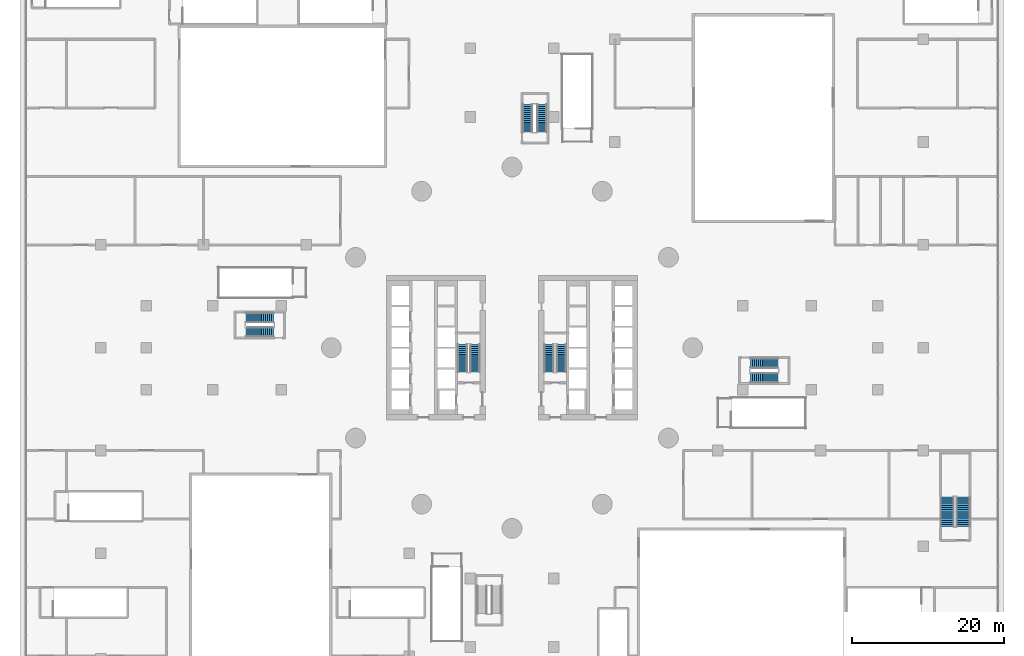
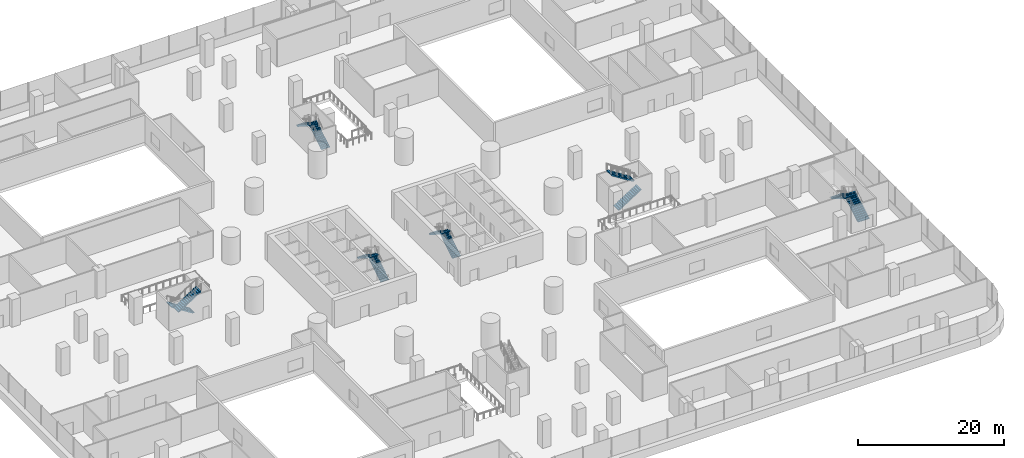
# One storey, part 30 of 38: 12 stair flights, 6 elements without a shape of their own.
"""IFC4 building model written with IfcOpenShell, lengths in metres."""

from ifc_helpers import new_model, si_unit, direction, frame, origin, place, context, subcontext, project, spatial, polyline, outline, extrude, material, type_object, element, aggregate, save


model = new_model("IFC4")

# Units and contexts
model_context = context("Model", 3, precision=1e-05, world=origin(), true_north=direction((0.0, 1.0)))
body_context = subcontext(model_context, "Body", "Model", "MODEL_VIEW")
ifc_project = project(units=[si_unit("LENGTHUNIT", "METRE"), si_unit("AREAUNIT", "SQUARE_METRE"), si_unit("VOLUMEUNIT", "CUBIC_METRE"), si_unit("PLANEANGLEUNIT", "RADIAN"), si_unit("MASSUNIT", "GRAM", prefix="KILO")], contexts=[model_context])

# Site, building, storey
site_placement = place(None, origin())
site = spatial("IfcSite", under=ifc_project, at=site_placement, CompositionType="ELEMENT")
building_placement = place(site_placement, origin())
building = spatial("IfcBuilding", under=site, at=building_placement, Name="Tamarind Cross Interchange Tower", CompositionType="ELEMENT")
storey_placement = place(building_placement, frame((0.0, 0.0, 20.0)))
storey = spatial("IfcBuildingStorey", under=building, at=storey_placement, Name="L03", CompositionType="ELEMENT", Elevation=20.0)

# Stair, stair flights
ifc_material_1 = material(Name="Exit stair")
stair_type_1 = type_object("IfcStairType", Name="Exit stair", PredefinedType="HALF_TURN_STAIR", material=ifc_material_1)
stair_1_placement = place(storey_placement, origin())
stair_1 = element("IfcStair", 1, at=stair_1_placement, inside=storey, type_object=stair_type_1, Name="L03 exit stair ST1", PredefinedType="HALF_TURN_STAIR")
ifc_material_2 = material(Name="Exit stair flight")
stair_flight_type_1 = type_object("IfcStairFlightType", Name="Exit stair flight", PredefinedType="STRAIGHT", material=ifc_material_2)
stair_flight_1_placement = place(storey_placement, frame((-4.85009765625, -3.199951171875, 0.0), z_axis=(0.0, 0.0, 1.0), x_axis=(0.0, 1.0, 0.0)))
stair_flight_1 = element("IfcStairFlight", 2, at=stair_flight_1_placement, type_object=stair_flight_type_1, Name="ST1 flight 1", NumberOfRisers=15, NumberOfTreads=14, PredefinedType="STRAIGHT", RiserHeight=0.166666667, TreadLength=0.26, context=body_context, shape_type="SweptSolid", body=[
    extrude(outline(polyline([(0.0, 0.0), (0.0, 0.166748046875), (0.260009765625, 0.166748046875), (0.260009765625, 0.333251953125), (0.52001953125, 0.333251953125), (0.52001953125, 0.5), (0.780029296875, 0.5), (0.780029296875, 0.666748046875), (1.0400390625, 0.666748046875), (1.0400390625, 0.833251953125), (1.300048828125, 0.833251953125), (1.300048828125, 1.0), (1.56005859375, 1.0), (1.56005859375, 1.166748046875), (1.820068359375, 1.166748046875), (1.820068359375, 1.333251953125), (2.080078125, 1.333251953125), (2.080078125, 1.5), (2.340087890625, 1.5), (2.340087890625, 1.666748046875), (2.60009765625, 1.666748046875), (2.60009765625, 1.833251953125), (2.860107421875, 1.833251953125), (2.860107421875, 2.0), (3.1201171875, 2.0), (3.1201171875, 2.166748046875), (3.3798828125, 2.166748046875), (3.3798828125, 2.333251953125), (3.639892578125, 2.333251953125), (3.639892578125, 2.5), (3.639892578125, 2.1552734375), (0.27783203125, 0.0), (0.0, 0.0)])), frame((0.0, 0.64990234375, 0.0), z_axis=(0.0, -1.0, 0.0), x_axis=(1.0, 0.0, 0.0)), (0.0, 0.0, 1.0), 1.300048828125),
])
stair_flight_2_placement = place(storey_placement, frame((-6.5, 0.43994140625, 2.5), z_axis=(0.0, 0.0, 1.0), x_axis=(0.0, -1.0, 0.0)))
stair_flight_2 = element("IfcStairFlight", 3, at=stair_flight_2_placement, type_object=stair_flight_type_1, Name="ST1 flight 2", NumberOfRisers=15, NumberOfTreads=14, PredefinedType="STRAIGHT", RiserHeight=0.166666667, TreadLength=0.26, context=body_context, shape_type="SweptSolid", body=[
    extrude(outline(polyline([(0.0, 0.0), (0.0, 0.166748046875), (0.260009765625, 0.166748046875), (0.260009765625, 0.333251953125), (0.52001953125, 0.333251953125), (0.52001953125, 0.5), (0.780029296875, 0.5), (0.780029296875, 0.666748046875), (1.0400390625, 0.666748046875), (1.0400390625, 0.833251953125), (1.300048828125, 0.833251953125), (1.300048828125, 1.0), (1.56005859375, 1.0), (1.56005859375, 1.166748046875), (1.820068359375, 1.166748046875), (1.820068359375, 1.333251953125), (2.080078125, 1.333251953125), (2.080078125, 1.5), (2.340087890625, 1.5), (2.340087890625, 1.666748046875), (2.60009765625, 1.666748046875), (2.60009765625, 1.833251953125), (2.860107421875, 1.833251953125), (2.860107421875, 2.0), (3.1201171875, 2.0), (3.1201171875, 2.166748046875), (3.3798828125, 2.166748046875), (3.3798828125, 2.333251953125), (3.639892578125, 2.333251953125), (3.639892578125, 2.5), (3.639892578125, 2.1552734375), (0.27783203125, 0.0), (0.0, 0.0)])), frame((0.0, 0.64990234375, 0.0), z_axis=(0.0, -1.0, 0.0), x_axis=(1.0, 0.0, 0.0)), (0.0, 0.0, 1.0), 1.300048828125),
])
aggregate(stair_1, [stair_flight_1, stair_flight_2])

stair_2_placement = place(storey_placement, origin())
stair_2 = element("IfcStair", 4, at=stair_2_placement, inside=storey, type_object=stair_type_1, Name="L03 exit stair ST2", PredefinedType="HALF_TURN_STAIR")
stair_flight_3_placement = place(storey_placement, frame((6.5, -3.199951171875, 0.0), z_axis=(0.0, 0.0, 1.0), x_axis=(0.0, 1.0, 0.0)))
stair_flight_3 = element("IfcStairFlight", 5, at=stair_flight_3_placement, type_object=stair_flight_type_1, Name="ST2 flight 1", NumberOfRisers=15, NumberOfTreads=14, PredefinedType="STRAIGHT", RiserHeight=0.166666667, TreadLength=0.26, context=body_context, shape_type="SweptSolid", body=[
    extrude(outline(polyline([(0.0, 0.0), (0.0, 0.166748046875), (0.260009765625, 0.166748046875), (0.260009765625, 0.333251953125), (0.52001953125, 0.333251953125), (0.52001953125, 0.5), (0.780029296875, 0.5), (0.780029296875, 0.666748046875), (1.0400390625, 0.666748046875), (1.0400390625, 0.833251953125), (1.300048828125, 0.833251953125), (1.300048828125, 1.0), (1.56005859375, 1.0), (1.56005859375, 1.166748046875), (1.820068359375, 1.166748046875), (1.820068359375, 1.333251953125), (2.080078125, 1.333251953125), (2.080078125, 1.5), (2.340087890625, 1.5), (2.340087890625, 1.666748046875), (2.60009765625, 1.666748046875), (2.60009765625, 1.833251953125), (2.860107421875, 1.833251953125), (2.860107421875, 2.0), (3.1201171875, 2.0), (3.1201171875, 2.166748046875), (3.3798828125, 2.166748046875), (3.3798828125, 2.333251953125), (3.639892578125, 2.333251953125), (3.639892578125, 2.5), (3.639892578125, 2.1552734375), (0.27783203125, 0.0), (0.0, 0.0)])), frame((0.0, 0.64990234375, 0.0), z_axis=(0.0, -1.0, 0.0), x_axis=(1.0, 0.0, 0.0)), (0.0, 0.0, 1.0), 1.300048828125),
])
stair_flight_4_placement = place(storey_placement, frame((4.85009765625, 0.43994140625, 2.5), z_axis=(0.0, 0.0, 1.0), x_axis=(0.0, -1.0, 0.0)))
stair_flight_4 = element("IfcStairFlight", 6, at=stair_flight_4_placement, type_object=stair_flight_type_1, Name="ST2 flight 2", NumberOfRisers=15, NumberOfTreads=14, PredefinedType="STRAIGHT", RiserHeight=0.166666667, TreadLength=0.26, context=body_context, shape_type="SweptSolid", body=[
    extrude(outline(polyline([(0.0, 0.0), (0.0, 0.166748046875), (0.260009765625, 0.166748046875), (0.260009765625, 0.333251953125), (0.52001953125, 0.333251953125), (0.52001953125, 0.5), (0.780029296875, 0.5), (0.780029296875, 0.666748046875), (1.0400390625, 0.666748046875), (1.0400390625, 0.833251953125), (1.300048828125, 0.833251953125), (1.300048828125, 1.0), (1.56005859375, 1.0), (1.56005859375, 1.166748046875), (1.820068359375, 1.166748046875), (1.820068359375, 1.333251953125), (2.080078125, 1.333251953125), (2.080078125, 1.5), (2.340087890625, 1.5), (2.340087890625, 1.666748046875), (2.60009765625, 1.666748046875), (2.60009765625, 1.833251953125), (2.860107421875, 1.833251953125), (2.860107421875, 2.0), (3.1201171875, 2.0), (3.1201171875, 2.166748046875), (3.3798828125, 2.166748046875), (3.3798828125, 2.333251953125), (3.639892578125, 2.333251953125), (3.639892578125, 2.5), (3.639892578125, 2.1552734375), (0.27783203125, 0.0), (0.0, 0.0)])), frame((0.0, 0.64990234375, 0.0), z_axis=(0.0, -1.0, 0.0), x_axis=(1.0, 0.0, 0.0)), (0.0, 0.0, 1.0), 1.300048828125),
])
aggregate(stair_2, [stair_flight_3, stair_flight_4])

stair_3_placement = place(storey_placement, origin())
stair_3 = element("IfcStair", 7, at=stair_3_placement, inside=storey, type_object=stair_type_1, Name="L03 exit stair ST3", PredefinedType="HALF_TURN_STAIR")
stair_flight_5_placement = place(storey_placement, frame((31.300048828125, -3.949951171875, 0.0), z_axis=(0.0, 0.0, 1.0), x_axis=(1.0, 0.0, 0.0)))
stair_flight_5 = element("IfcStairFlight", 8, at=stair_flight_5_placement, type_object=stair_flight_type_1, Name="ST3 flight 1", NumberOfRisers=15, NumberOfTreads=14, PredefinedType="STRAIGHT", RiserHeight=0.166666667, TreadLength=0.26, context=body_context, shape_type="SweptSolid", body=[
    extrude(outline(polyline([(0.0, 0.0), (0.0, 0.166748046875), (0.260009765625, 0.166748046875), (0.260009765625, 0.333251953125), (0.52001953125, 0.333251953125), (0.52001953125, 0.5), (0.780029296875, 0.5), (0.780029296875, 0.666748046875), (1.0400390625, 0.666748046875), (1.0400390625, 0.833251953125), (1.300048828125, 0.833251953125), (1.300048828125, 1.0), (1.56005859375, 1.0), (1.56005859375, 1.166748046875), (1.820068359375, 1.166748046875), (1.820068359375, 1.333251953125), (2.080078125, 1.333251953125), (2.080078125, 1.5), (2.340087890625, 1.5), (2.340087890625, 1.666748046875), (2.60009765625, 1.666748046875), (2.60009765625, 1.833251953125), (2.860107421875, 1.833251953125), (2.860107421875, 2.0), (3.1201171875, 2.0), (3.1201171875, 2.166748046875), (3.3798828125, 2.166748046875), (3.3798828125, 2.333251953125), (3.639892578125, 2.333251953125), (3.639892578125, 2.5), (3.639892578125, 2.1552734375), (0.27783203125, 0.0), (0.0, 0.0)])), frame((0.0, 0.64990234375, 0.0), z_axis=(0.0, -1.0, 0.0), x_axis=(1.0, 0.0, 0.0)), (0.0, 0.0, 1.0), 1.300048828125),
])
stair_flight_6_placement = place(storey_placement, frame((34.93994140625, -2.050048828125, 2.5), z_axis=(0.0, 0.0, 1.0), x_axis=(-1.0, 0.0, 0.0)))
stair_flight_6 = element("IfcStairFlight", 9, at=stair_flight_6_placement, type_object=stair_flight_type_1, Name="ST3 flight 2", NumberOfRisers=15, NumberOfTreads=14, PredefinedType="STRAIGHT", RiserHeight=0.166666667, TreadLength=0.26, context=body_context, shape_type="SweptSolid", body=[
    extrude(outline(polyline([(0.0, 0.0), (0.0, 0.166748046875), (0.260009765625, 0.166748046875), (0.260009765625, 0.333251953125), (0.52001953125, 0.333251953125), (0.52001953125, 0.5), (0.780029296875, 0.5), (0.780029296875, 0.666748046875), (1.0400390625, 0.666748046875), (1.0400390625, 0.833251953125), (1.300048828125, 0.833251953125), (1.300048828125, 1.0), (1.56005859375, 1.0), (1.56005859375, 1.166748046875), (1.820068359375, 1.166748046875), (1.820068359375, 1.333251953125), (2.080078125, 1.333251953125), (2.080078125, 1.5), (2.340087890625, 1.5), (2.340087890625, 1.666748046875), (2.60009765625, 1.666748046875), (2.60009765625, 1.833251953125), (2.860107421875, 1.833251953125), (2.860107421875, 2.0), (3.1201171875, 2.0), (3.1201171875, 2.166748046875), (3.3798828125, 2.166748046875), (3.3798828125, 2.333251953125), (3.639892578125, 2.333251953125), (3.639892578125, 2.5), (3.639892578125, 2.1552734375), (0.27783203125, 0.0), (0.0, 0.0)])), frame((0.0, 0.64990234375, 0.0), z_axis=(0.0, -1.0, 0.0), x_axis=(1.0, 0.0, 0.0)), (0.0, 0.0, 1.0), 1.300048828125),
])
aggregate(stair_3, [stair_flight_5, stair_flight_6])

stair_4_placement = place(storey_placement, origin())
stair_4 = element("IfcStair", 10, at=stair_4_placement, inside=storey, type_object=stair_type_1, Name="L03 exit stair ST4", PredefinedType="HALF_TURN_STAIR")
stair_flight_7_placement = place(storey_placement, frame((3.949951171875, 28.300048828125, 0.0), z_axis=(0.0, 0.0, 1.0), x_axis=(0.0, 1.0, 0.0)))
stair_flight_7 = element("IfcStairFlight", 11, at=stair_flight_7_placement, type_object=stair_flight_type_1, Name="ST4 flight 1", NumberOfRisers=15, NumberOfTreads=14, PredefinedType="STRAIGHT", RiserHeight=0.166666667, TreadLength=0.26, context=body_context, shape_type="SweptSolid", body=[
    extrude(outline(polyline([(0.0, 0.0), (0.0, 0.166748046875), (0.260009765625, 0.166748046875), (0.260009765625, 0.333251953125), (0.52001953125, 0.333251953125), (0.52001953125, 0.5), (0.780029296875, 0.5), (0.780029296875, 0.666748046875), (1.0400390625, 0.666748046875), (1.0400390625, 0.833251953125), (1.300048828125, 0.833251953125), (1.300048828125, 1.0), (1.56005859375, 1.0), (1.56005859375, 1.166748046875), (1.820068359375, 1.166748046875), (1.820068359375, 1.333251953125), (2.080078125, 1.333251953125), (2.080078125, 1.5), (2.340087890625, 1.5), (2.340087890625, 1.666748046875), (2.60009765625, 1.666748046875), (2.60009765625, 1.833251953125), (2.860107421875, 1.833251953125), (2.860107421875, 2.0), (3.1201171875, 2.0), (3.1201171875, 2.166748046875), (3.3798828125, 2.166748046875), (3.3798828125, 2.333251953125), (3.639892578125, 2.333251953125), (3.639892578125, 2.5), (3.639892578125, 2.1552734375), (0.27783203125, 0.0), (0.0, 0.0)])), frame((0.0, 0.64990234375, 0.0), z_axis=(0.0, -1.0, 0.0), x_axis=(1.0, 0.0, 0.0)), (0.0, 0.0, 1.0), 1.300048828125),
])
stair_flight_8_placement = place(storey_placement, frame((2.050048828125, 31.93994140625, 2.5), z_axis=(0.0, 0.0, 1.0), x_axis=(0.0, -1.0, 0.0)))
stair_flight_8 = element("IfcStairFlight", 12, at=stair_flight_8_placement, type_object=stair_flight_type_1, Name="ST4 flight 2", NumberOfRisers=15, NumberOfTreads=14, PredefinedType="STRAIGHT", RiserHeight=0.166666667, TreadLength=0.26, context=body_context, shape_type="SweptSolid", body=[
    extrude(outline(polyline([(0.0, 0.0), (0.0, 0.166748046875), (0.260009765625, 0.166748046875), (0.260009765625, 0.333251953125), (0.52001953125, 0.333251953125), (0.52001953125, 0.5), (0.780029296875, 0.5), (0.780029296875, 0.666748046875), (1.0400390625, 0.666748046875), (1.0400390625, 0.833251953125), (1.300048828125, 0.833251953125), (1.300048828125, 1.0), (1.56005859375, 1.0), (1.56005859375, 1.166748046875), (1.820068359375, 1.166748046875), (1.820068359375, 1.333251953125), (2.080078125, 1.333251953125), (2.080078125, 1.5), (2.340087890625, 1.5), (2.340087890625, 1.666748046875), (2.60009765625, 1.666748046875), (2.60009765625, 1.833251953125), (2.860107421875, 1.833251953125), (2.860107421875, 2.0), (3.1201171875, 2.0), (3.1201171875, 2.166748046875), (3.3798828125, 2.166748046875), (3.3798828125, 2.333251953125), (3.639892578125, 2.333251953125), (3.639892578125, 2.5), (3.639892578125, 2.1552734375), (0.27783203125, 0.0), (0.0, 0.0)])), frame((0.0, 0.64990234375, 0.0), z_axis=(0.0, -1.0, 0.0), x_axis=(1.0, 0.0, 0.0)), (0.0, 0.0, 1.0), 1.300048828125),
])
aggregate(stair_4, [stair_flight_7, stair_flight_8])

stair_5_placement = place(storey_placement, origin())
stair_5 = element("IfcStair", 13, at=stair_5_placement, inside=storey, type_object=stair_type_1, Name="L03 exit stair ST5", PredefinedType="HALF_TURN_STAIR")
stair_flight_9_placement = place(storey_placement, frame((-31.300048828125, 3.949951171875, 0.0), z_axis=(0.0, 0.0, 1.0), x_axis=(-1.0, 0.0, 0.0)))
stair_flight_9 = element("IfcStairFlight", 14, at=stair_flight_9_placement, type_object=stair_flight_type_1, Name="ST5 flight 1", NumberOfRisers=15, NumberOfTreads=14, PredefinedType="STRAIGHT", RiserHeight=0.166666667, TreadLength=0.26, context=body_context, shape_type="SweptSolid", body=[
    extrude(outline(polyline([(0.0, 0.0), (0.0, 0.166748046875), (0.260009765625, 0.166748046875), (0.260009765625, 0.333251953125), (0.52001953125, 0.333251953125), (0.52001953125, 0.5), (0.780029296875, 0.5), (0.780029296875, 0.666748046875), (1.0400390625, 0.666748046875), (1.0400390625, 0.833251953125), (1.300048828125, 0.833251953125), (1.300048828125, 1.0), (1.56005859375, 1.0), (1.56005859375, 1.166748046875), (1.820068359375, 1.166748046875), (1.820068359375, 1.333251953125), (2.080078125, 1.333251953125), (2.080078125, 1.5), (2.340087890625, 1.5), (2.340087890625, 1.666748046875), (2.60009765625, 1.666748046875), (2.60009765625, 1.833251953125), (2.860107421875, 1.833251953125), (2.860107421875, 2.0), (3.1201171875, 2.0), (3.1201171875, 2.166748046875), (3.3798828125, 2.166748046875), (3.3798828125, 2.333251953125), (3.639892578125, 2.333251953125), (3.639892578125, 2.5), (3.639892578125, 2.1552734375), (0.27783203125, 0.0), (0.0, 0.0)])), frame((0.0, 0.64990234375, 0.0), z_axis=(0.0, -1.0, 0.0), x_axis=(1.0, 0.0, 0.0)), (0.0, 0.0, 1.0), 1.300048828125),
])
stair_flight_10_placement = place(storey_placement, frame((-34.93994140625, 2.050048828125, 2.5), z_axis=(0.0, 0.0, 1.0), x_axis=(1.0, 0.0, 0.0)))
stair_flight_10 = element("IfcStairFlight", 15, at=stair_flight_10_placement, type_object=stair_flight_type_1, Name="ST5 flight 2", NumberOfRisers=15, NumberOfTreads=14, PredefinedType="STRAIGHT", RiserHeight=0.166666667, TreadLength=0.26, context=body_context, shape_type="SweptSolid", body=[
    extrude(outline(polyline([(0.0, 0.0), (0.0, 0.166748046875), (0.260009765625, 0.166748046875), (0.260009765625, 0.333251953125), (0.52001953125, 0.333251953125), (0.52001953125, 0.5), (0.780029296875, 0.5), (0.780029296875, 0.666748046875), (1.0400390625, 0.666748046875), (1.0400390625, 0.833251953125), (1.300048828125, 0.833251953125), (1.300048828125, 1.0), (1.56005859375, 1.0), (1.56005859375, 1.166748046875), (1.820068359375, 1.166748046875), (1.820068359375, 1.333251953125), (2.080078125, 1.333251953125), (2.080078125, 1.5), (2.340087890625, 1.5), (2.340087890625, 1.666748046875), (2.60009765625, 1.666748046875), (2.60009765625, 1.833251953125), (2.860107421875, 1.833251953125), (2.860107421875, 2.0), (3.1201171875, 2.0), (3.1201171875, 2.166748046875), (3.3798828125, 2.166748046875), (3.3798828125, 2.333251953125), (3.639892578125, 2.333251953125), (3.639892578125, 2.5), (3.639892578125, 2.1552734375), (0.27783203125, 0.0), (0.0, 0.0)])), frame((0.0, 0.64990234375, 0.0), z_axis=(0.0, -1.0, 0.0), x_axis=(1.0, 0.0, 0.0)), (0.0, 0.0, 1.0), 1.300048828125),
])
aggregate(stair_5, [stair_flight_9, stair_flight_10])

ifc_material_3 = material(Name="Public stair")
stair_type_2 = type_object("IfcStairType", Name="Public stair", PredefinedType="HALF_TURN_STAIR", material=ifc_material_3)
stair_6_placement = place(storey_placement, origin())
stair_6 = element("IfcStair", 16, at=stair_6_placement, inside=storey, type_object=stair_type_2, Name="L03 exit stair XS-P11", PredefinedType="HALF_TURN_STAIR")
ifc_material_4 = material(Name="Public stair flight")
stair_flight_type_2 = type_object("IfcStairFlightType", Name="Public stair flight", PredefinedType="STRAIGHT", material=ifc_material_4)
stair_flight_11_placement = place(storey_placement, frame((59.25, -23.5, 0.0), z_axis=(0.0, 0.0, 1.0), x_axis=(0.0, 1.0, 0.0)))
stair_flight_11 = element("IfcStairFlight", 17, at=stair_flight_11_placement, type_object=stair_flight_type_2, Name="XS-P11 flight 1", NumberOfRisers=15, NumberOfTreads=14, PredefinedType="STRAIGHT", RiserHeight=0.166666667, TreadLength=0.28, context=body_context, shape_type="SweptSolid", body=[
    extrude(outline(polyline([(0.0, 0.0), (0.0, 0.166748046875), (0.280029296875, 0.166748046875), (0.280029296875, 0.333251953125), (0.56005859375, 0.333251953125), (0.56005859375, 0.5), (0.840087890625, 0.5), (0.840087890625, 0.666748046875), (1.1201171875, 0.666748046875), (1.1201171875, 0.833251953125), (1.39990234375, 0.833251953125), (1.39990234375, 1.0), (1.679931640625, 1.0), (1.679931640625, 1.166748046875), (1.9599609375, 1.166748046875), (1.9599609375, 1.333251953125), (2.239990234375, 1.333251953125), (2.239990234375, 1.5), (2.52001953125, 1.5), (2.52001953125, 1.666748046875), (2.800048828125, 1.666748046875), (2.800048828125, 1.833251953125), (3.080078125, 1.833251953125), (3.080078125, 2.0), (3.360107421875, 2.0), (3.360107421875, 2.166748046875), (3.639892578125, 2.166748046875), (3.639892578125, 2.333251953125), (3.919921875, 2.333251953125), (3.919921875, 2.5), (3.919921875, 2.158935546875), (0.29296875, 0.0), (0.0, 0.0)])), frame((0.0, 0.89990234375, 0.0), z_axis=(0.0, -1.0, 0.0), x_axis=(1.0, 0.0, 0.0)), (0.0, 0.0, 1.0), 1.800048828125),
])
stair_flight_12_placement = place(storey_placement, frame((57.14990234375, -19.580078125, 2.5), z_axis=(0.0, 0.0, 1.0), x_axis=(0.0, -1.0, 0.0)))
stair_flight_12 = element("IfcStairFlight", 18, at=stair_flight_12_placement, type_object=stair_flight_type_2, Name="XS-P11 flight 2", NumberOfRisers=15, NumberOfTreads=14, PredefinedType="STRAIGHT", RiserHeight=0.166666667, TreadLength=0.28, context=body_context, shape_type="SweptSolid", body=[
    extrude(outline(polyline([(0.0, 0.0), (0.0, 0.166748046875), (0.280029296875, 0.166748046875), (0.280029296875, 0.333251953125), (0.56005859375, 0.333251953125), (0.56005859375, 0.5), (0.840087890625, 0.5), (0.840087890625, 0.666748046875), (1.1201171875, 0.666748046875), (1.1201171875, 0.833251953125), (1.39990234375, 0.833251953125), (1.39990234375, 1.0), (1.679931640625, 1.0), (1.679931640625, 1.166748046875), (1.9599609375, 1.166748046875), (1.9599609375, 1.333251953125), (2.239990234375, 1.333251953125), (2.239990234375, 1.5), (2.52001953125, 1.5), (2.52001953125, 1.666748046875), (2.800048828125, 1.666748046875), (2.800048828125, 1.833251953125), (3.080078125, 1.833251953125), (3.080078125, 2.0), (3.360107421875, 2.0), (3.360107421875, 2.166748046875), (3.639892578125, 2.166748046875), (3.639892578125, 2.333251953125), (3.919921875, 2.333251953125), (3.919921875, 2.5), (3.919921875, 2.158935546875), (0.29296875, 0.0), (0.0, 0.0)])), frame((0.0, 0.89990234375, 0.0), z_axis=(0.0, -1.0, 0.0), x_axis=(1.0, 0.0, 0.0)), (0.0, 0.0, 1.0), 1.800048828125),
])
aggregate(stair_6, [stair_flight_11, stair_flight_12])

save(model, "model.ifc")
